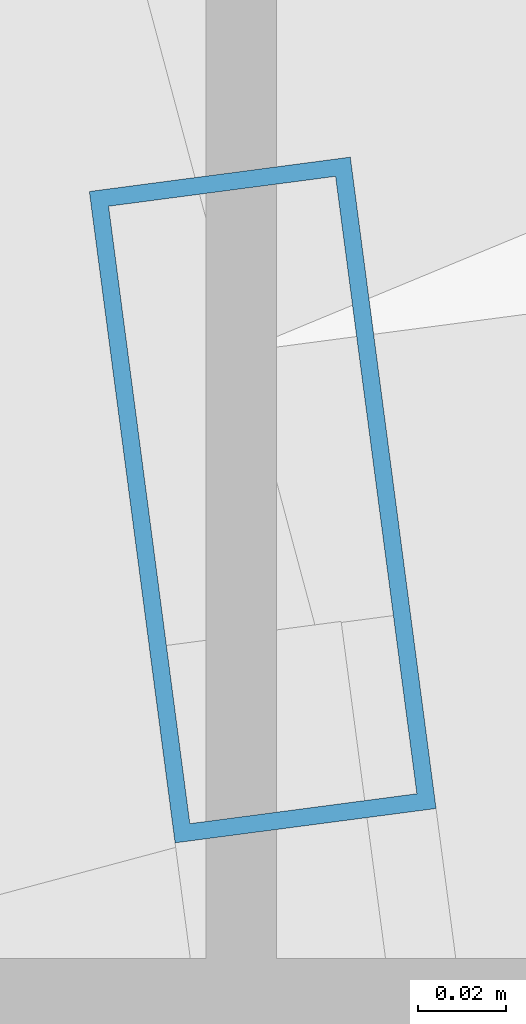
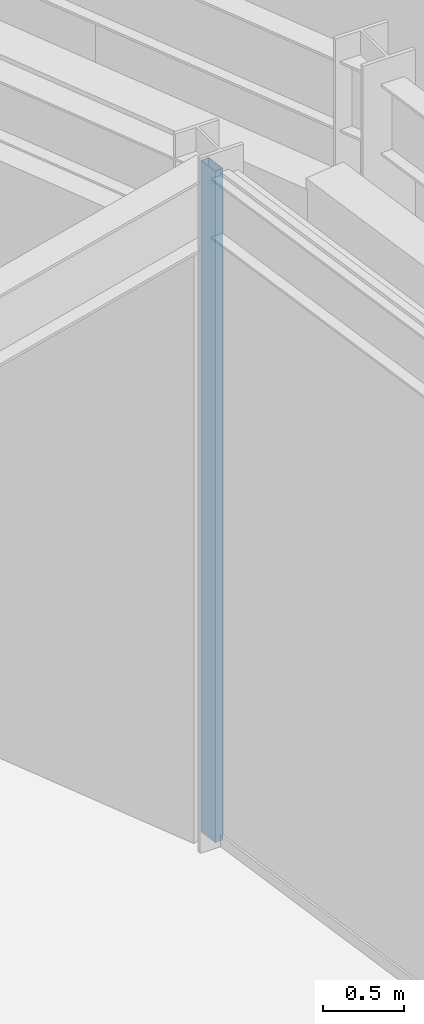
# One storey, part 57 of 168: 1 member, 1 element without a shape of its own.
"""IFC4 building model written with IfcOpenShell, lengths in metres."""

from ifc_helpers import new_model, si_unit, direction, frame, origin, origin_2d, place, context, subcontext, project, spatial, hollow_rectangle, extrude, material, material_profile, profile_set, type_object, element, aggregate, save


model = new_model("IFC4")

# Units and contexts
model_context = context("Model", 3, precision=1e-05, world=origin(), true_north=direction((0.0, 1.0)))
body_context = subcontext(model_context, "Body", "Model", "MODEL_VIEW")
ifc_project = project(units=[si_unit("LENGTHUNIT", "METRE"), si_unit("AREAUNIT", "SQUARE_METRE"), si_unit("VOLUMEUNIT", "CUBIC_METRE"), si_unit("PLANEANGLEUNIT", "RADIAN"), si_unit("MASSUNIT", "GRAM", prefix="KILO")], contexts=[model_context])

# Site, building, storey
site_placement = place(None, origin())
site = spatial("IfcSite", under=ifc_project, at=site_placement, CompositionType="ELEMENT")
building_placement = place(site_placement, origin())
building = spatial("IfcBuilding", under=site, at=building_placement, Name="Almandine Court Research Institute", CompositionType="ELEMENT")
storey_placement = place(building_placement, origin())
storey = spatial("IfcBuildingStorey", under=building, at=storey_placement, Name="L00", CompositionType="ELEMENT", Elevation=0.0)

# Curtain wall, member
ifc_material_1 = material(Name="Unitised Curtain Wall Framing and Solar Glazing", Category="glass")
curtain_wall_type = type_object("IfcCurtainWallType", Name="CW-CWG-23", PredefinedType="USERDEFINED", material=ifc_material_1)
curtain_wall_placement = place(storey_placement, origin())
curtain_wall = element("IfcCurtainWall", 1, at=curtain_wall_placement, inside=storey, type_object=curtain_wall_type, Name="L00 Interaction Atrium Perimeter Curtain Wall 00", ObjectType="UNITISED GLAZING", PredefinedType="USERDEFINED")
ifc_material_2 = material(Name="Anodised Aluminium AW-6063-T6", Category="aluminium")
ifc_material_profile = material_profile(ifc_material_2, hollow_rectangle(XDim=0.06005859375, YDim=0.14990234375, WallThickness=0.00390625, at=origin_2d()), Name="ALU RHS 60x150x4")
ifc_profile_set = profile_set([ifc_material_profile], Name="Anodised Aluminium AW-6063-T6")
member_type = type_object("IfcMemberType", Name="CWMul-60x150", PredefinedType="MULLION", material=ifc_profile_set)
member_placement = place(storey_placement, frame((123.371826171875, 65.711181640625, 0.0), z_axis=(0.0, 0.0, 1.0), x_axis=(0.991443548509, 0.130536164028, 0.0)))
member = element("IfcMember", 2, at=member_placement, type_object=member_type, Name="CWG-23 mullion 1", PredefinedType="MULLION", context=body_context, shape_type="SweptSolid", body=[
    extrude(hollow_rectangle(XDim=0.06005859375, YDim=0.14990234375, WallThickness=0.00390625, at=origin_2d()), origin(), (0.0, 0.0, 1.0), 5.070068359375),
])
aggregate(curtain_wall, [member])

save(model, "model.ifc")
